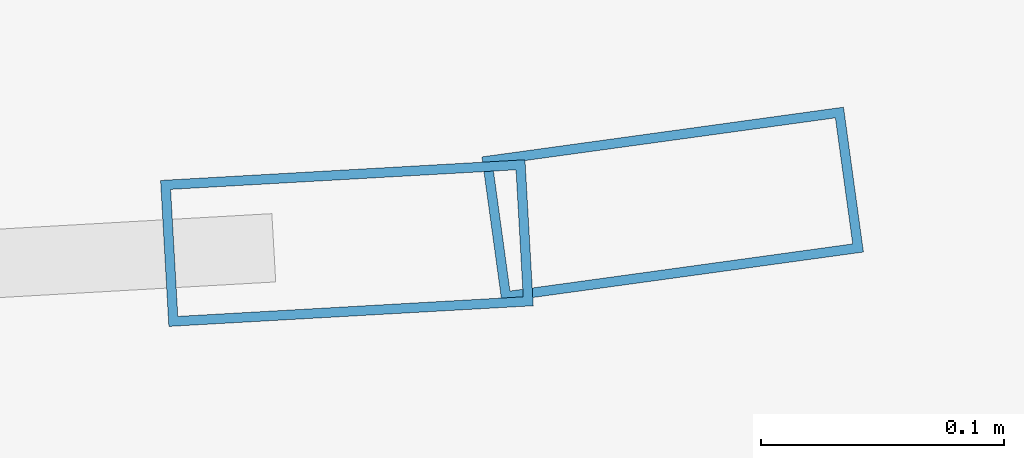
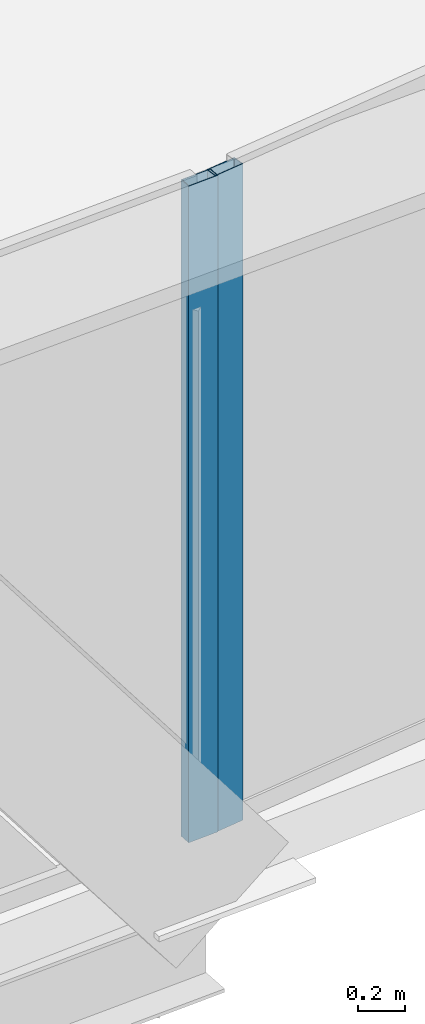
# One storey, part 14 of 39: 2 members, 2 elements without a shape of their own.
"""IFC4 building model written with IfcOpenShell, lengths in metres."""

import ifcopenshell
import ifcopenshell.guid

model = None  # the IFC model being written
_history = None  # IfcOwnerHistory: only IFC2X3 demands one
_inside = {}  # id of a spatial element -> (the spatial element, [elements in it])
_under = {}  # id of a project, library or spatial element -> (it, [spatial elements below it])
_declared = {}  # id of a project -> (the project, [libraries it declares])
_typed = {}  # id of a type object -> (the type object, [elements of that type])
_made_of = {}  # id of a material, layer set ... -> (it, [elements and type objects made of it])


def new_model(schema):
    """Start an empty IFC model of exactly this schema.

    Asked for "IFC4X3", IfcOpenShell would pick the latest addendum, in which some entities
    have other attributes; the version numbers below select the first issue.
    IFC2X3 requires an IfcOwnerHistory on every rooted entity: one is made here for all.
    """
    global model, _history
    if schema == "IFC4X3":
        model = ifcopenshell.file(schema_version=(4, 3, 0, 0))
    else:
        model = ifcopenshell.file(schema=schema)
    _inside.clear()
    _under.clear()
    _declared.clear()
    _typed.clear()
    _made_of.clear()
    _history = None
    if model.schema == "IFC2X3":
        org = make("IfcOrganization", Name="unknown")
        user = make(
            "IfcPersonAndOrganization",
            ThePerson=make("IfcPerson", FamilyName="unknown"),
            TheOrganization=org,
        )
        app = make(
            "IfcApplication",
            ApplicationDeveloper=org,
            Version="unknown",
            ApplicationFullName="unknown",
            ApplicationIdentifier="unknown",
        )
        _history = make(
            "IfcOwnerHistory",
            OwningUser=user,
            OwningApplication=app,
            ChangeAction="ADDED",
            CreationDate=0,
        )
    return model


def make(cls, **values):
    """One entity of the class cls with the attributes given. An attribute that is None is left unset."""
    return model.create_entity(
        cls, **{name: value for name, value in values.items() if value is not None}
    )


def rooted(cls, **values):
    """An entity with a GlobalId (a new one), such as an element, a storey or a relation."""
    return make(cls, GlobalId=ifcopenshell.guid.new(), OwnerHistory=_history, **values)


def si_unit(unit_type, name, prefix=None):
    """IfcSIUnit, for example si_unit("LENGTHUNIT", "METRE", prefix="MILLI")."""
    return make("IfcSIUnit", UnitType=unit_type, Prefix=prefix, Name=name)


def assignment(units):
    """IfcUnitAssignment: the units of a project."""
    return None if units is None else make("IfcUnitAssignment", Units=units)


def point(xyz):
    """IfcCartesianPoint."""
    return None if xyz is None else make("IfcCartesianPoint", Coordinates=xyz)


def direction(xyz):
    """IfcDirection."""
    return None if xyz is None else make("IfcDirection", DirectionRatios=xyz)


def frame(location, z_axis=None, x_axis=None):
    """IfcAxis2Placement3D, a coordinate frame: its origin and axes. An axis left out is left unset."""
    return make(
        "IfcAxis2Placement3D",
        Location=point(location),
        Axis=direction(z_axis),
        RefDirection=direction(x_axis),
    )


def frame_2d(location, x_axis=None):
    """IfcAxis2Placement2D, a coordinate frame in the plane: its origin and x axis."""
    return make(
        "IfcAxis2Placement2D", Location=point(location), RefDirection=direction(x_axis)
    )


def origin():
    """The frame at (0, 0, 0) with its axes left unset."""
    return frame((0.0, 0.0, 0.0))


def origin_2d():
    """The frame at (0, 0) in the plane with its x axis left unset."""
    return frame_2d((0.0, 0.0))


def place(relative_to, where):
    """IfcLocalPlacement: puts the frame where relative to a parent placement (None: the world)."""
    return make(
        "IfcLocalPlacement", PlacementRelTo=relative_to, RelativePlacement=where
    )


def context(
    kind, dimensions, precision=None, world=None, true_north=None, identifier=None
):
    """IfcGeometricRepresentationContext, for example the 3D "Model" context."""
    return make(
        "IfcGeometricRepresentationContext",
        ContextIdentifier=identifier,
        ContextType=kind,
        CoordinateSpaceDimension=dimensions,
        Precision=precision,
        WorldCoordinateSystem=world,
        TrueNorth=true_north,
    )


def subcontext(parent, identifier, kind, view, scale=None):
    """IfcGeometricRepresentationSubContext, for example "Body" below "Model"."""
    return make(
        "IfcGeometricRepresentationSubContext",
        ContextIdentifier=identifier,
        ContextType=kind,
        ParentContext=parent,
        TargetScale=scale,
        TargetView=view,
    )


def project(units=None, contexts=None):
    """IfcProject with its units and contexts."""
    return rooted(
        "IfcProject",
        Name="project",
        RepresentationContexts=contexts,
        UnitsInContext=assignment(units),
    )


def spatial(cls, under=None, at=None, **own):
    """A site, building, storey or space (cls), placed at a placement, below another one or the project."""
    s = rooted(cls, ObjectPlacement=at, **own)
    if under is not None:
        _under.setdefault(under.id(), (under, []))[1].append(s)
    return s


def profile(cls, at=None, kind="AREA", **sizes):
    """A parametric profile (cls). Its sizes go by their IFC names, for example OverallWidth=200.0."""
    return make(cls, ProfileType=kind, Position=at, **sizes)


def hollow_rectangle(**sizes):
    """IfcRectangleHollowProfileDef."""
    return profile("IfcRectangleHollowProfileDef", **sizes)


def extrude(swept, where, along, depth):
    """IfcExtrudedAreaSolid: the profile swept, set in the frame where, extruded along a direction by depth."""
    return make(
        "IfcExtrudedAreaSolid",
        SweptArea=swept,
        Position=where,
        ExtrudedDirection=direction(along),
        Depth=depth,
    )


def shape(context_of_items, identifier, shape_type, items):
    """IfcShapeRepresentation: the items that make up one representation, for example the "Body"."""
    return make(
        "IfcShapeRepresentation",
        ContextOfItems=context_of_items,
        RepresentationIdentifier=identifier,
        RepresentationType=shape_type,
        Items=items,
    )


def source(mapping_origin, context_of_items, identifier, shape_type, items):
    """IfcRepresentationMap: a shape defined once, which mapped items show again and again."""
    return make(
        "IfcRepresentationMap",
        MappingOrigin=mapping_origin,
        MappedRepresentation=shape(context_of_items, identifier, shape_type, items),
    )


def transform(
    local_origin,
    x_axis=None,
    y_axis=None,
    z_axis=None,
    scale=None,
    scale2=None,
    scale3=None,
    uniform=True,
):
    """IfcCartesianTransformationOperator3D, or its non-uniform kind. x_axis, y_axis, z_axis: its Axis1, 2, 3."""
    if uniform:
        return make(
            "IfcCartesianTransformationOperator3D",
            Axis1=direction(x_axis),
            Axis2=direction(y_axis),
            LocalOrigin=point(local_origin),
            Scale=scale,
            Axis3=direction(z_axis),
        )
    return make(
        "IfcCartesianTransformationOperator3DnonUniform",
        Axis1=direction(x_axis),
        Axis2=direction(y_axis),
        LocalOrigin=point(local_origin),
        Scale=scale,
        Axis3=direction(z_axis),
        Scale2=scale2,
        Scale3=scale3,
    )


def mapped(mapping_source, mapping_target):
    """IfcMappedItem: shows the shape of a source again, moved by a transform."""
    return make(
        "IfcMappedItem", MappingSource=mapping_source, MappingTarget=mapping_target
    )


def material(Name=None, Category=None):
    """IfcMaterial."""
    return make("IfcMaterial", Name=Name, Category=Category)


def layer(
    of_material, thickness, ventilated=None, Name=None, Category=None, Priority=None
):
    """IfcMaterialLayer: one layer of a wall or slab, of a material (None: an air gap)."""
    return make(
        "IfcMaterialLayer",
        Material=of_material,
        LayerThickness=thickness,
        IsVentilated=ventilated,
        Name=Name,
        Category=Category,
        Priority=Priority,
    )


def layer_set(layers, Name=None):
    """IfcMaterialLayerSet."""
    return make("IfcMaterialLayerSet", MaterialLayers=layers, LayerSetName=Name)


def material_profile(
    of_material, cross_section, Name=None, Category=None, Priority=None
):
    """IfcMaterialProfile: a cross section and its material."""
    return make(
        "IfcMaterialProfile",
        Name=Name,
        Material=of_material,
        Profile=cross_section,
        Priority=Priority,
        Category=Category,
    )


def profile_set(profiles, Name=None, composite=None):
    """IfcMaterialProfileSet."""
    return make(
        "IfcMaterialProfileSet",
        Name=Name,
        MaterialProfiles=profiles,
        CompositeProfile=composite,
    )


def made_of(thing, what):
    """Note that an element or type object is made of a material, layer set ...; save() writes the relation."""
    if what is not None:
        _made_of.setdefault(what.id(), (what, []))[1].append(thing)
    return thing


def type_object(cls, material=None, **own):
    """A type object (cls), such as IfcWallType, which elements share."""
    return made_of(rooted(cls, **own), material)


def element(
    cls,
    number,
    at=None,
    inside=None,
    cuts=None,
    type_object=None,
    material=None,
    context=None,
    identifier="Body",
    shape_type=None,
    held_by="IfcProductDefinitionShape",
    body=None,
    shapes=None,
    **own,
):
    """One element of the class cls, such as IfcWall. Its Tag is "e" and its number.

    at: its placement. inside: the storey or other place that contains it. cuts: it is an
    opening in that element (IfcRelVoidsElement). A single representation is given by context,
    identifier, shape_type and body (its items); several are given by shapes. held_by: the class
    of the entity that holds the representations. save() writes the other relations.
    """
    e = rooted(cls, Tag="e%d" % number, ObjectPlacement=at, **own)
    if body is not None:
        shapes = [shape(context, identifier, shape_type, body)]
    if shapes is not None:
        e.Representation = make(held_by, Representations=shapes)
    if inside is not None:
        _inside.setdefault(inside.id(), (inside, []))[1].append(e)
    if cuts is not None:
        rooted(
            "IfcRelVoidsElement", RelatingBuildingElement=cuts, RelatedOpeningElement=e
        )
    if type_object is not None:
        _typed.setdefault(type_object.id(), (type_object, []))[1].append(e)
    return made_of(e, material)


def aggregate(whole, parts):
    """IfcRelAggregates: a whole, such as a stair, and the parts it consists of."""
    return rooted("IfcRelAggregates", RelatingObject=whole, RelatedObjects=parts)


def save(model, path):
    """Write the relations noted so far, then the file.

    IfcRelAggregates (storeys below a building ...), IfcRelContainedInSpatialStructure (elements
    in a storey), IfcRelDefinesByType, IfcRelAssociatesMaterial and IfcRelDeclares: one each for
    every whole, place, type object, material and project.
    """
    for whole, parts in _under.values():
        aggregate(whole, parts)
    for where, things in _inside.values():
        rooted(
            "IfcRelContainedInSpatialStructure",
            RelatedElements=things,
            RelatingStructure=where,
        )
    for kind, things in _typed.values():
        rooted("IfcRelDefinesByType", RelatedObjects=things, RelatingType=kind)
    for what, things in _made_of.values():
        rooted("IfcRelAssociatesMaterial", RelatedObjects=things, RelatingMaterial=what)
    for by, libraries in _declared.values():
        rooted("IfcRelDeclares", RelatingContext=by, RelatedDefinitions=libraries)
    model.write(path)


model = new_model("IFC4")

# Units and contexts
model_context = context("Model", 3, precision=1e-05, world=origin(), true_north=direction((0.0, 1.0)))
body_context = subcontext(model_context, "Body", "Model", "MODEL_VIEW")
ifc_project = project(units=[si_unit("LENGTHUNIT", "METRE"), si_unit("AREAUNIT", "SQUARE_METRE"), si_unit("VOLUMEUNIT", "CUBIC_METRE"), si_unit("PLANEANGLEUNIT", "RADIAN"), si_unit("MASSUNIT", "GRAM", prefix="KILO"), si_unit("THERMODYNAMICTEMPERATUREUNIT", "KELVIN"), si_unit("POWERUNIT", "WATT")], contexts=[model_context])

# Site, building, storey
site_placement = place(None, origin())
site = spatial("IfcSite", under=ifc_project, at=site_placement, CompositionType="ELEMENT")
building_placement = place(site_placement, origin())
building = spatial("IfcBuilding", under=site, at=building_placement, Name="Yunzhuo Pagoda Commons", CompositionType="ELEMENT")
storey_placement = place(building_placement, frame((0.0, 0.0, 144.550048828125)))
storey = spatial("IfcBuildingStorey", under=building, at=storey_placement, Name="L36", CompositionType="ELEMENT", Elevation=144.550048828125)

# Curtain wall, member
ifc_material = material(Name="Anodized aluminium 6063-T6", Category="aluminium")
ifc_layer = layer(ifc_material, 0.14990234375)
ifc_layer_set = layer_set([ifc_layer], Name="Anodized aluminium 6063-T6")
curtain_wall_type = type_object("IfcCurtainWallType", Name="CW-MID Mid-Zone Ribbon Curtain Wall", PredefinedType="NOTDEFINED", material=ifc_layer_set)
curtain_wall_1_placement = place(storey_placement, origin())
curtain_wall_1 = element("IfcCurtainWall", 1, at=curtain_wall_1_placement, inside=storey, type_object=curtain_wall_type, Name="L36 curtain wall CW-L36-F1B4", PredefinedType="NOTDEFINED")
ifc_material_profile = material_profile(ifc_material, hollow_rectangle(XDim=0.06005859375, YDim=0.14990234375, WallThickness=0.00390625, at=origin_2d()), Name="Anodized aluminium 6063-T6")
ifc_profile_set = profile_set([ifc_material_profile], Name="Anodized aluminium 6063-T6")
member_type = type_object("IfcMemberType", Name="CW-MID-M Mullion RHS 150x60x4", PredefinedType="MULLION", material=ifc_profile_set)
shared_shape = source(origin(), body_context, "Body", "SweptSolid", [
    extrude(hollow_rectangle(XDim=0.06005859375, YDim=0.14990234375, WallThickness=0.00390625, at=origin_2d()), origin(), (0.0, 0.0, 1.0), 3.419921875),
])
member_1_placement = place(storey_placement, frame((64.65576171875, 13.813232421875, 0.0), z_axis=(0.0, 0.0, 1.0), x_axis=(-0.056597401536, 0.998397082397, 0.0)))
member_1 = element("IfcMember", 2, at=member_1_placement, type_object=member_type, Name="CW mullion 2", PredefinedType="MULLION", context=body_context, shape_type="MappedRepresentation", body=[
    mapped(shared_shape, transform((0.0, 0.0, 0.0), scale=1.0)),
])
aggregate(curtain_wall_1, [member_1])

curtain_wall_2_placement = place(storey_placement, origin())
curtain_wall_2 = element("IfcCurtainWall", 3, at=curtain_wall_2_placement, inside=storey, type_object=curtain_wall_type, Name="L36 curtain wall CW-L36-F1B5", PredefinedType="NOTDEFINED")
member_2_placement = place(storey_placement, frame((64.78955078125, 13.8291015625, 0.0), z_axis=(0.0, 0.0, 1.0), x_axis=(-0.136220738131, 0.990678510165, 0.0)))
member_2 = element("IfcMember", 4, at=member_2_placement, type_object=member_type, Name="CW mullion 1", PredefinedType="MULLION", context=body_context, shape_type="MappedRepresentation", body=[
    mapped(shared_shape, transform((0.0, 0.0, 0.0), scale=1.0)),
])
aggregate(curtain_wall_2, [member_2])

save(model, "model.ifc")
